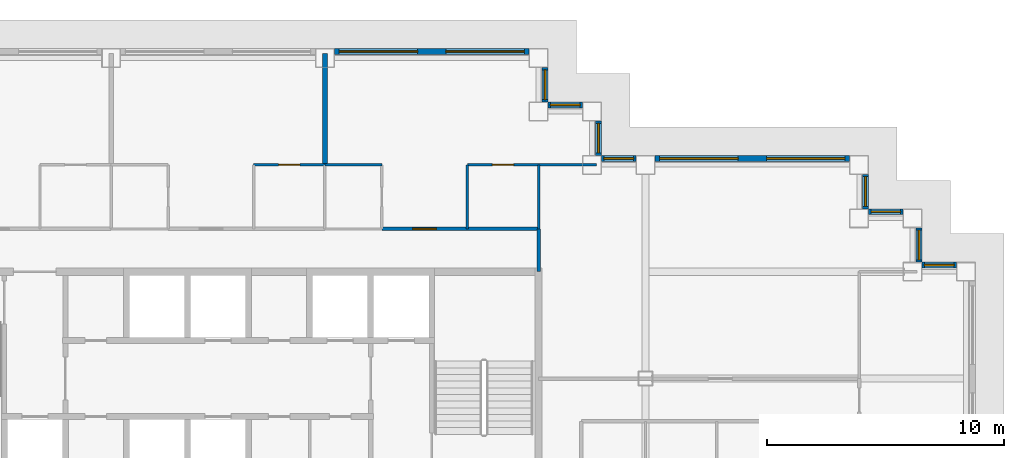
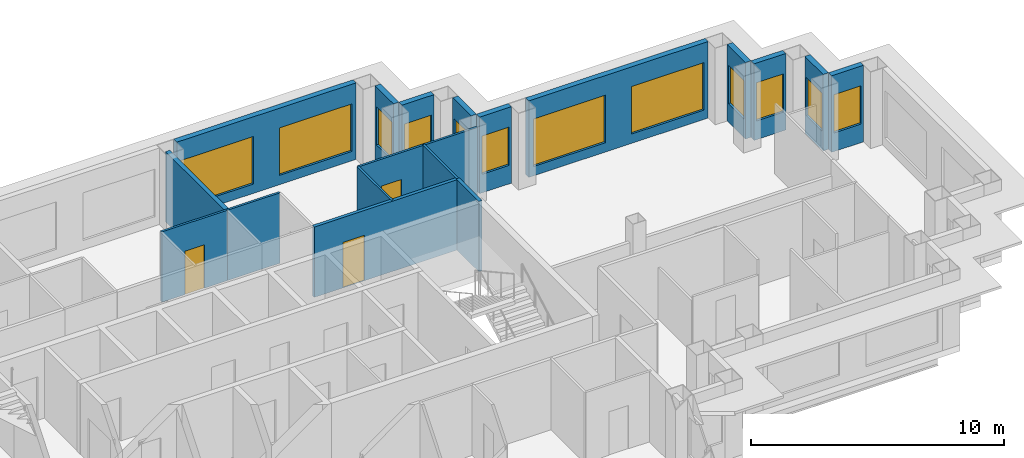
# One storey, part 9 of 13: 18 walls, 12 windows, 3 doors, 15 openings.
"""IFC4 building model written with IfcOpenShell, lengths in metres."""

from ifc_helpers import new_model, si_unit, direction, frame, frame_2d, origin, place, context, subcontext, project, spatial, rectangle, extrude, material, layer, layer_set, type_object, element, fill, save


model = new_model("IFC4")

# Units and contexts
model_context = context("Model", 3, precision=1e-05, world=origin(), true_north=direction((0.0, 1.0)))
body_context = subcontext(model_context, "Body", "Model", "MODEL_VIEW")
ifc_project = project(units=[si_unit("LENGTHUNIT", "METRE"), si_unit("AREAUNIT", "SQUARE_METRE"), si_unit("VOLUMEUNIT", "CUBIC_METRE"), si_unit("PLANEANGLEUNIT", "RADIAN"), si_unit("MASSUNIT", "GRAM", prefix="KILO")], contexts=[model_context])

# Site, building, storey
site_placement = place(None, origin())
site = spatial("IfcSite", under=ifc_project, at=site_placement, CompositionType="ELEMENT")
building_placement = place(site_placement, origin())
building = spatial("IfcBuilding", under=site, at=building_placement, Name="Caravel Reach Hotel and Residences", CompositionType="ELEMENT")
storey_placement = place(building_placement, frame((0.0, 0.0, 158.0)))
storey = spatial("IfcBuildingStorey", under=building, at=storey_placement, Name="L39", CompositionType="ELEMENT", Elevation=158.0)

# Wall
ifc_material_1 = material(Name="Gypsum board on steel stud", Category="steel")
ifc_layer_1 = layer(ifc_material_1, 0.10009765625)
ifc_layer_set_1 = layer_set([ifc_layer_1], Name="Bathroom pod wall 100 mm")
wall_type_1 = type_object("IfcWallType", Name="Bathroom pod wall 100 mm", PredefinedType="PARTITIONING", material=ifc_layer_set_1)
wall_1_placement = place(storey_placement, frame((36.0, 36.0, 0.0), z_axis=(0.0, 0.0, 1.0), x_axis=(1.0, 0.0, 0.0)))
element("IfcWall", 1, at=wall_1_placement, inside=storey, type_object=wall_type_1, Name="L39 wall w094", PredefinedType="PARTITIONING", context=body_context, shape_type="SweptSolid", body=[
    extrude(rectangle(XDim=2.39990234375, YDim=0.10009765625, at=frame_2d((1.199951171875, 0.0))), origin(), (0.0, 0.0, 1.0), 3.39990234375),
])

# Wall, opening, door
ifc_material_2 = material(Name="Gypsum board on steel stud, fire-rated", Category="steel")
ifc_layer_2 = layer(ifc_material_2, 0.14990234375)
ifc_layer_set_2 = layer_set([ifc_layer_2], Name="Corridor wall 150 mm EI 60")
wall_type_2 = type_object("IfcWallType", Name="Corridor wall 150 mm EI 60", PredefinedType="PARTITIONING", material=ifc_layer_set_2)
wall_2_placement = place(storey_placement, frame((38.39990234375, 33.300048828125, 0.0), z_axis=(0.0, 0.0, 1.0), x_axis=(1.0, 0.0, 0.0)))
wall_2 = element("IfcWall", 2, at=wall_2_placement, inside=storey, type_object=wall_type_2, Name="L39 wall w018", PredefinedType="PARTITIONING", context=body_context, shape_type="SweptSolid", body=[
    extrude(rectangle(XDim=6.60009765625, YDim=0.14990234375, at=frame_2d((3.300048828125, 0.0))), origin(), (0.0, 0.0, 1.0), 3.39990234375),
])
opening_1_placement = place(wall_2_placement, frame((1.300048828125, 0.0, 0.0)))
opening_1 = element("IfcOpeningElement", 3, at=opening_1_placement, cuts=wall_2, Name="Opening D39-023", PredefinedType="OPENING", context=body_context, shape_type="SweptSolid", body=[
    extrude(rectangle(XDim=1.0, YDim=2.199951171875, at=frame_2d((0.5, 1.10009765625))), frame((0.0, 0.0849609375, 0.0), z_axis=(0.0, -1.0, 0.0), x_axis=(1.0, 0.0, 0.0)), (0.0, 0.0, 1.0), 0.169921875),
])
ifc_material_3 = material(Name="Steel fire door leaf", Category="steel")
door_type_1 = type_object("IfcDoorType", Name="Flat entrance door 1000 x 2200 EI 60", OperationType="SINGLE_SWING_LEFT", PredefinedType="DOOR", material=ifc_material_3)
door_1_placement = place(opening_1_placement, origin())
door_1 = element("IfcDoor", 4, at=door_1_placement, inside=storey, type_object=door_type_1, Name="door D39-023", OperationType="SINGLE_SWING_LEFT", OverallHeight=2.199951171875, OverallWidth=1.0, PredefinedType="DOOR", context=body_context, shape_type="SweptSolid", body=[
    extrude(rectangle(XDim=1.0, YDim=2.199951171875, at=frame_2d((0.5, 1.10009765625))), frame((0.0, 0.02490234375, 0.0), z_axis=(0.0, -1.0, 0.0), x_axis=(1.0, 0.0, 0.0)), (0.0, 0.0, 1.0), 0.050048828125),
])
fill(opening_1, door_1)

# Wall
wall_3_placement = place(storey_placement, frame((45.0, 31.5, 0.0), z_axis=(0.0, 0.0, 1.0), x_axis=(0.0, 1.0, 0.0)))
element("IfcWall", 5, at=wall_3_placement, inside=storey, type_object=wall_type_2, Name="L39 wall w031", PredefinedType="PARTITIONING", context=body_context, shape_type="SweptSolid", body=[
    extrude(rectangle(XDim=1.800048828125, YDim=0.14990234375, at=frame_2d((0.89990234375, 0.0))), origin(), (0.0, 0.0, 1.0), 3.39990234375),
])

# Wall, opening, window
ifc_material_4 = material(Name="Insulated rainscreen wall, aluminium cladding", Category="aluminium")
ifc_layer_3 = layer(ifc_material_4, 0.25)
ifc_layer_set_3 = layer_set([ifc_layer_3], Name="EW1 Tower rainscreen wall")
wall_type_3 = type_object("IfcWallType", Name="EW1 Tower rainscreen wall", PredefinedType="SOLIDWALL", material=ifc_layer_set_3)
wall_4_placement = place(storey_placement, frame((62.60009765625, 31.77490234375, 0.0), z_axis=(0.0, 0.0, 1.0), x_axis=(-1.0, 0.0, 0.0)))
wall_4 = element("IfcWall", 6, at=wall_4_placement, inside=storey, type_object=wall_type_3, Name="External wall L39 N21.1", PredefinedType="SOLIDWALL", context=body_context, shape_type="SweptSolid", body=[
    extrude(rectangle(XDim=1.4501953125, YDim=0.25, at=frame_2d((0.72509765625, 0.0))), origin(), (0.0, 0.0, 1.0), 3.699951171875),
])
opening_2_placement = place(wall_4_placement, frame((0.10009765625, 0.0, 0.89990234375)))
opening_2 = element("IfcOpeningElement", 7, at=opening_2_placement, cuts=wall_4, Name="Opening WN13", PredefinedType="OPENING", context=body_context, shape_type="SweptSolid", body=[
    extrude(rectangle(XDim=1.25, YDim=1.85009765625, at=frame_2d((0.625, 0.925048828125))), frame((0.0, 0.135009765625, 0.0), z_axis=(0.0, -1.0, 0.0), x_axis=(1.0, 0.0, 0.0)), (0.0, 0.0, 1.0), 0.27001953125),
])
ifc_material_5 = material(Name="Dark low-e glazing in black aluminium frame", Category="aluminium")
window_type_1 = type_object("IfcWindowType", Name="Residence bedroom window 1250 x 1850", PartitioningType="SINGLE_PANEL", PredefinedType="WINDOW", material=ifc_material_5)
window_1_placement = place(opening_2_placement, origin())
window_1 = element("IfcWindow", 8, at=window_1_placement, inside=storey, type_object=window_type_1, Name="Window L39 N21.1.1", OverallHeight=1.85009765625, OverallWidth=1.25, PartitioningType="SINGLE_PANEL", PredefinedType="WINDOW", context=body_context, shape_type="SweptSolid", body=[
    extrude(rectangle(XDim=1.25, YDim=1.85009765625, at=frame_2d((0.625, 0.925048828125))), frame((0.0, 0.030029296875, 0.0), z_axis=(0.0, -1.0, 0.0), x_axis=(1.0, 0.0, 0.0)), (0.0, 0.0, 1.0), 0.06005859375),
])
fill(opening_2, window_1)

wall_5_placement = place(storey_placement, frame((61.02490234375, 31.89990234375, 0.0), z_axis=(0.0, 0.0, 1.0), x_axis=(0.0, 1.0, 0.0)))
wall_5 = element("IfcWall", 9, at=wall_5_placement, inside=storey, type_object=wall_type_3, Name="External wall L39 E22.1", PredefinedType="SOLIDWALL", context=body_context, shape_type="SweptSolid", body=[
    extrude(rectangle(XDim=1.4501953125, YDim=0.25, at=frame_2d((0.72509765625, 0.0))), origin(), (0.0, 0.0, 1.0), 3.699951171875),
])
opening_3_placement = place(wall_5_placement, frame((0.10009765625, 0.0, 0.89990234375)))
opening_3 = element("IfcOpeningElement", 10, at=opening_3_placement, cuts=wall_5, Name="Opening WN13", PredefinedType="OPENING", context=body_context, shape_type="SweptSolid", body=[
    extrude(rectangle(XDim=1.25, YDim=1.85009765625, at=frame_2d((0.625, 0.925048828125))), frame((0.0, 0.135009765625, 0.0), z_axis=(0.0, -1.0, 0.0), x_axis=(1.0, 0.0, 0.0)), (0.0, 0.0, 1.0), 0.27001953125),
])
window_2_placement = place(opening_3_placement, origin())
window_2 = element("IfcWindow", 11, at=window_2_placement, inside=storey, type_object=window_type_1, Name="Window L39 E22.1.1", OverallHeight=1.85009765625, OverallWidth=1.25, PartitioningType="SINGLE_PANEL", PredefinedType="WINDOW", context=body_context, shape_type="SweptSolid", body=[
    extrude(rectangle(XDim=1.25, YDim=1.85009765625, at=frame_2d((0.625, 0.925048828125))), frame((0.0, 0.030029296875, 0.0), z_axis=(0.0, -1.0, 0.0), x_axis=(1.0, 0.0, 0.0)), (0.0, 0.0, 1.0), 0.06005859375),
])
fill(opening_3, window_2)

wall_6_placement = place(storey_placement, frame((60.35009765625, 34.02490234375, 0.0), z_axis=(0.0, 0.0, 1.0), x_axis=(-1.0, 0.0, 0.0)))
wall_6 = element("IfcWall", 12, at=wall_6_placement, inside=storey, type_object=wall_type_3, Name="External wall L39 N23.1", PredefinedType="SOLIDWALL", context=body_context, shape_type="SweptSolid", body=[
    extrude(rectangle(XDim=1.4501953125, YDim=0.25, at=frame_2d((0.72509765625, 0.0))), origin(), (0.0, 0.0, 1.0), 3.699951171875),
])
opening_4_placement = place(wall_6_placement, frame((0.10009765625, 0.0, 0.89990234375)))
opening_4 = element("IfcOpeningElement", 13, at=opening_4_placement, cuts=wall_6, Name="Opening WN13", PredefinedType="OPENING", context=body_context, shape_type="SweptSolid", body=[
    extrude(rectangle(XDim=1.25, YDim=1.85009765625, at=frame_2d((0.625, 0.925048828125))), frame((0.0, 0.135009765625, 0.0), z_axis=(0.0, -1.0, 0.0), x_axis=(1.0, 0.0, 0.0)), (0.0, 0.0, 1.0), 0.27001953125),
])
window_3_placement = place(opening_4_placement, origin())
window_3 = element("IfcWindow", 14, at=window_3_placement, inside=storey, type_object=window_type_1, Name="Window L39 N23.1.1", OverallHeight=1.85009765625, OverallWidth=1.25, PartitioningType="SINGLE_PANEL", PredefinedType="WINDOW", context=body_context, shape_type="SweptSolid", body=[
    extrude(rectangle(XDim=1.25, YDim=1.85009765625, at=frame_2d((0.625, 0.925048828125))), frame((0.0, 0.030029296875, 0.0), z_axis=(0.0, -1.0, 0.0), x_axis=(1.0, 0.0, 0.0)), (0.0, 0.0, 1.0), 0.06005859375),
])
fill(opening_4, window_3)

wall_7_placement = place(storey_placement, frame((58.77490234375, 34.14990234375, 0.0), z_axis=(0.0, 0.0, 1.0), x_axis=(0.0, 1.0, 0.0)))
wall_7 = element("IfcWall", 15, at=wall_7_placement, inside=storey, type_object=wall_type_3, Name="External wall L39 E24.1", PredefinedType="SOLIDWALL", context=body_context, shape_type="SweptSolid", body=[
    extrude(rectangle(XDim=1.4501953125, YDim=0.25, at=frame_2d((0.72509765625, 0.0))), origin(), (0.0, 0.0, 1.0), 3.699951171875),
])
opening_5_placement = place(wall_7_placement, frame((0.10009765625, 0.0, 0.89990234375)))
opening_5 = element("IfcOpeningElement", 16, at=opening_5_placement, cuts=wall_7, Name="Opening WN13", PredefinedType="OPENING", context=body_context, shape_type="SweptSolid", body=[
    extrude(rectangle(XDim=1.25, YDim=1.85009765625, at=frame_2d((0.625, 0.925048828125))), frame((0.0, 0.135009765625, 0.0), z_axis=(0.0, -1.0, 0.0), x_axis=(1.0, 0.0, 0.0)), (0.0, 0.0, 1.0), 0.27001953125),
])
window_4_placement = place(opening_5_placement, origin())
window_4 = element("IfcWindow", 17, at=window_4_placement, inside=storey, type_object=window_type_1, Name="Window L39 E24.1.1", OverallHeight=1.85009765625, OverallWidth=1.25, PartitioningType="SINGLE_PANEL", PredefinedType="WINDOW", context=body_context, shape_type="SweptSolid", body=[
    extrude(rectangle(XDim=1.25, YDim=1.85009765625, at=frame_2d((0.625, 0.925048828125))), frame((0.0, 0.030029296875, 0.0), z_axis=(0.0, -1.0, 0.0), x_axis=(1.0, 0.0, 0.0)), (0.0, 0.0, 1.0), 0.06005859375),
])
fill(opening_5, window_4)

# Wall, openings, windows
wall_8_placement = place(storey_placement, frame((58.10009765625, 36.27490234375, 0.0), z_axis=(0.0, 0.0, 1.0), x_axis=(-1.0, 0.0, 0.0)))
wall_8 = element("IfcWall", 18, at=wall_8_placement, inside=storey, type_object=wall_type_3, Name="External wall L39 N25.1", PredefinedType="SOLIDWALL", context=body_context, shape_type="SweptSolid", body=[
    extrude(rectangle(XDim=8.2001953125, YDim=0.25, at=frame_2d((4.10009765625, 0.0))), origin(), (0.0, 0.0, 1.0), 3.699951171875),
])
opening_6_placement = place(wall_8_placement, frame((0.199951171875, 0.0, 0.449951171875)))
opening_6 = element("IfcOpeningElement", 19, at=opening_6_placement, cuts=wall_8, Name="Opening WN15", PredefinedType="OPENING", context=body_context, shape_type="SweptSolid", body=[
    extrude(rectangle(XDim=3.300048828125, YDim=2.300048828125, at=frame_2d((1.64990234375, 1.14990234375))), frame((0.0, 0.135009765625, 0.0), z_axis=(0.0, -1.0, 0.0), x_axis=(1.0, 0.0, 0.0)), (0.0, 0.0, 1.0), 0.27001953125),
])
opening_7_placement = place(wall_8_placement, frame((4.699951171875, 0.0, 0.449951171875)))
opening_7 = element("IfcOpeningElement", 20, at=opening_7_placement, cuts=wall_8, Name="Opening WN15", PredefinedType="OPENING", context=body_context, shape_type="SweptSolid", body=[
    extrude(rectangle(XDim=3.300048828125, YDim=2.300048828125, at=frame_2d((1.64990234375, 1.14990234375))), frame((0.0, 0.135009765625, 0.0), z_axis=(0.0, -1.0, 0.0), x_axis=(1.0, 0.0, 0.0)), (0.0, 0.0, 1.0), 0.27001953125),
])
ifc_material_6 = material(Name="Dark low-e glazing in black aluminium frame", Category="aluminium")
window_type_2 = type_object("IfcWindowType", Name="Residence living window 3300 x 2300", PartitioningType="SINGLE_PANEL", PredefinedType="WINDOW", material=ifc_material_6)
window_5_placement = place(opening_6_placement, origin())
window_5 = element("IfcWindow", 21, at=window_5_placement, inside=storey, type_object=window_type_2, Name="Window L39 N25.1.1", OverallHeight=2.300048828125, OverallWidth=3.300048828125, PartitioningType="SINGLE_PANEL", PredefinedType="WINDOW", context=body_context, shape_type="SweptSolid", body=[
    extrude(rectangle(XDim=3.300048828125, YDim=2.300048828125, at=frame_2d((1.64990234375, 1.14990234375))), frame((0.0, 0.030029296875, 0.0), z_axis=(0.0, -1.0, 0.0), x_axis=(1.0, 0.0, 0.0)), (0.0, 0.0, 1.0), 0.06005859375),
])
fill(opening_6, window_5)
window_6_placement = place(opening_7_placement, origin())
window_6 = element("IfcWindow", 22, at=window_6_placement, inside=storey, type_object=window_type_2, Name="Window L39 N25.1.2", OverallHeight=2.300048828125, OverallWidth=3.300048828125, PartitioningType="SINGLE_PANEL", PredefinedType="WINDOW", context=body_context, shape_type="SweptSolid", body=[
    extrude(rectangle(XDim=3.300048828125, YDim=2.300048828125, at=frame_2d((1.64990234375, 1.14990234375))), frame((0.0, 0.030029296875, 0.0), z_axis=(0.0, -1.0, 0.0), x_axis=(1.0, 0.0, 0.0)), (0.0, 0.0, 1.0), 0.06005859375),
])
fill(opening_7, window_6)

# Wall, opening, window
wall_9_placement = place(storey_placement, frame((49.10009765625, 36.27490234375, 0.0), z_axis=(0.0, 0.0, 1.0), x_axis=(-1.0, 0.0, 0.0)))
wall_9 = element("IfcWall", 23, at=wall_9_placement, inside=storey, type_object=wall_type_3, Name="External wall L39 N25.2", PredefinedType="SOLIDWALL", context=body_context, shape_type="SweptSolid", body=[
    extrude(rectangle(XDim=1.4501953125, YDim=0.25, at=frame_2d((0.72509765625, 0.0))), origin(), (0.0, 0.0, 1.0), 3.699951171875),
])
opening_8_placement = place(wall_9_placement, frame((0.10009765625, 0.0, 0.89990234375)))
opening_8 = element("IfcOpeningElement", 24, at=opening_8_placement, cuts=wall_9, Name="Opening WN13", PredefinedType="OPENING", context=body_context, shape_type="SweptSolid", body=[
    extrude(rectangle(XDim=1.25, YDim=1.85009765625, at=frame_2d((0.625, 0.925048828125))), frame((0.0, 0.135009765625, 0.0), z_axis=(0.0, -1.0, 0.0), x_axis=(1.0, 0.0, 0.0)), (0.0, 0.0, 1.0), 0.27001953125),
])
window_7_placement = place(opening_8_placement, origin())
window_7 = element("IfcWindow", 25, at=window_7_placement, inside=storey, type_object=window_type_1, Name="Window L39 N25.2.1", OverallHeight=1.85009765625, OverallWidth=1.25, PartitioningType="SINGLE_PANEL", PredefinedType="WINDOW", context=body_context, shape_type="SweptSolid", body=[
    extrude(rectangle(XDim=1.25, YDim=1.85009765625, at=frame_2d((0.625, 0.925048828125))), frame((0.0, 0.030029296875, 0.0), z_axis=(0.0, -1.0, 0.0), x_axis=(1.0, 0.0, 0.0)), (0.0, 0.0, 1.0), 0.06005859375),
])
fill(opening_8, window_7)

wall_10_placement = place(storey_placement, frame((47.52490234375, 36.39990234375, 0.0), z_axis=(0.0, 0.0, 1.0), x_axis=(0.0, 1.0, 0.0)))
wall_10 = element("IfcWall", 26, at=wall_10_placement, inside=storey, type_object=wall_type_3, Name="External wall L39 E26.1", PredefinedType="SOLIDWALL", context=body_context, shape_type="SweptSolid", body=[
    extrude(rectangle(XDim=1.4501953125, YDim=0.25, at=frame_2d((0.72509765625, 0.0))), origin(), (0.0, 0.0, 1.0), 3.699951171875),
])
opening_9_placement = place(wall_10_placement, frame((0.10009765625, 0.0, 0.89990234375)))
opening_9 = element("IfcOpeningElement", 27, at=opening_9_placement, cuts=wall_10, Name="Opening WN13", PredefinedType="OPENING", context=body_context, shape_type="SweptSolid", body=[
    extrude(rectangle(XDim=1.25, YDim=1.85009765625, at=frame_2d((0.625, 0.925048828125))), frame((0.0, 0.135009765625, 0.0), z_axis=(0.0, -1.0, 0.0), x_axis=(1.0, 0.0, 0.0)), (0.0, 0.0, 1.0), 0.27001953125),
])
window_8_placement = place(opening_9_placement, origin())
window_8 = element("IfcWindow", 28, at=window_8_placement, inside=storey, type_object=window_type_1, Name="Window L39 E26.1.1", OverallHeight=1.85009765625, OverallWidth=1.25, PartitioningType="SINGLE_PANEL", PredefinedType="WINDOW", context=body_context, shape_type="SweptSolid", body=[
    extrude(rectangle(XDim=1.25, YDim=1.85009765625, at=frame_2d((0.625, 0.925048828125))), frame((0.0, 0.030029296875, 0.0), z_axis=(0.0, -1.0, 0.0), x_axis=(1.0, 0.0, 0.0)), (0.0, 0.0, 1.0), 0.06005859375),
])
fill(opening_9, window_8)

wall_11_placement = place(storey_placement, frame((46.85009765625, 38.52490234375, 0.0), z_axis=(0.0, 0.0, 1.0), x_axis=(-1.0, 0.0, 0.0)))
wall_11 = element("IfcWall", 29, at=wall_11_placement, inside=storey, type_object=wall_type_3, Name="External wall L39 N27.1", PredefinedType="SOLIDWALL", context=body_context, shape_type="SweptSolid", body=[
    extrude(rectangle(XDim=1.4501953125, YDim=0.25, at=frame_2d((0.72509765625, 0.0))), origin(), (0.0, 0.0, 1.0), 3.699951171875),
])
opening_10_placement = place(wall_11_placement, frame((0.10009765625, 0.0, 0.89990234375)))
opening_10 = element("IfcOpeningElement", 30, at=opening_10_placement, cuts=wall_11, Name="Opening WN13", PredefinedType="OPENING", context=body_context, shape_type="SweptSolid", body=[
    extrude(rectangle(XDim=1.25, YDim=1.85009765625, at=frame_2d((0.625, 0.925048828125))), frame((0.0, 0.135009765625, 0.0), z_axis=(0.0, -1.0, 0.0), x_axis=(1.0, 0.0, 0.0)), (0.0, 0.0, 1.0), 0.27001953125),
])
window_9_placement = place(opening_10_placement, origin())
window_9 = element("IfcWindow", 31, at=window_9_placement, inside=storey, type_object=window_type_1, Name="Window L39 N27.1.1", OverallHeight=1.85009765625, OverallWidth=1.25, PartitioningType="SINGLE_PANEL", PredefinedType="WINDOW", context=body_context, shape_type="SweptSolid", body=[
    extrude(rectangle(XDim=1.25, YDim=1.85009765625, at=frame_2d((0.625, 0.925048828125))), frame((0.0, 0.030029296875, 0.0), z_axis=(0.0, -1.0, 0.0), x_axis=(1.0, 0.0, 0.0)), (0.0, 0.0, 1.0), 0.06005859375),
])
fill(opening_10, window_9)

wall_12_placement = place(storey_placement, frame((45.27490234375, 38.64990234375, 0.0), z_axis=(0.0, 0.0, 1.0), x_axis=(0.0, 1.0, 0.0)))
wall_12 = element("IfcWall", 32, at=wall_12_placement, inside=storey, type_object=wall_type_3, Name="External wall L39 E28.1", PredefinedType="SOLIDWALL", context=body_context, shape_type="SweptSolid", body=[
    extrude(rectangle(XDim=1.4501953125, YDim=0.25, at=frame_2d((0.72509765625, 0.0))), origin(), (0.0, 0.0, 1.0), 3.699951171875),
])
opening_11_placement = place(wall_12_placement, frame((0.10009765625, 0.0, 0.89990234375)))
opening_11 = element("IfcOpeningElement", 33, at=opening_11_placement, cuts=wall_12, Name="Opening WN13", PredefinedType="OPENING", context=body_context, shape_type="SweptSolid", body=[
    extrude(rectangle(XDim=1.25, YDim=1.85009765625, at=frame_2d((0.625, 0.925048828125))), frame((0.0, 0.135009765625, 0.0), z_axis=(0.0, -1.0, 0.0), x_axis=(1.0, 0.0, 0.0)), (0.0, 0.0, 1.0), 0.27001953125),
])
window_10_placement = place(opening_11_placement, origin())
window_10 = element("IfcWindow", 34, at=window_10_placement, inside=storey, type_object=window_type_1, Name="Window L39 E28.1.1", OverallHeight=1.85009765625, OverallWidth=1.25, PartitioningType="SINGLE_PANEL", PredefinedType="WINDOW", context=body_context, shape_type="SweptSolid", body=[
    extrude(rectangle(XDim=1.25, YDim=1.85009765625, at=frame_2d((0.625, 0.925048828125))), frame((0.0, 0.030029296875, 0.0), z_axis=(0.0, -1.0, 0.0), x_axis=(1.0, 0.0, 0.0)), (0.0, 0.0, 1.0), 0.06005859375),
])
fill(opening_11, window_10)

# Wall, openings, windows
wall_13_placement = place(storey_placement, frame((44.60009765625, 40.77490234375, 0.0), z_axis=(0.0, 0.0, 1.0), x_axis=(-1.0, 0.0, 0.0)))
wall_13 = element("IfcWall", 35, at=wall_13_placement, inside=storey, type_object=wall_type_3, Name="External wall L39 N29.1", PredefinedType="SOLIDWALL", context=body_context, shape_type="SweptSolid", body=[
    extrude(rectangle(XDim=8.2001953125, YDim=0.25, at=frame_2d((4.10009765625, 0.0))), origin(), (0.0, 0.0, 1.0), 3.699951171875),
])
opening_12_placement = place(wall_13_placement, frame((0.199951171875, 0.0, 0.449951171875)))
opening_12 = element("IfcOpeningElement", 36, at=opening_12_placement, cuts=wall_13, Name="Opening WN15", PredefinedType="OPENING", context=body_context, shape_type="SweptSolid", body=[
    extrude(rectangle(XDim=3.300048828125, YDim=2.300048828125, at=frame_2d((1.64990234375, 1.14990234375))), frame((0.0, 0.135009765625, 0.0), z_axis=(0.0, -1.0, 0.0), x_axis=(1.0, 0.0, 0.0)), (0.0, 0.0, 1.0), 0.27001953125),
])
opening_13_placement = place(wall_13_placement, frame((4.699951171875, 0.0, 0.449951171875)))
opening_13 = element("IfcOpeningElement", 37, at=opening_13_placement, cuts=wall_13, Name="Opening WN15", PredefinedType="OPENING", context=body_context, shape_type="SweptSolid", body=[
    extrude(rectangle(XDim=3.300048828125, YDim=2.300048828125, at=frame_2d((1.64990234375, 1.14990234375))), frame((0.0, 0.135009765625, 0.0), z_axis=(0.0, -1.0, 0.0), x_axis=(1.0, 0.0, 0.0)), (0.0, 0.0, 1.0), 0.27001953125),
])
window_11_placement = place(opening_12_placement, origin())
window_11 = element("IfcWindow", 38, at=window_11_placement, inside=storey, type_object=window_type_2, Name="Window L39 N29.1.1", OverallHeight=2.300048828125, OverallWidth=3.300048828125, PartitioningType="SINGLE_PANEL", PredefinedType="WINDOW", context=body_context, shape_type="SweptSolid", body=[
    extrude(rectangle(XDim=3.300048828125, YDim=2.300048828125, at=frame_2d((1.64990234375, 1.14990234375))), frame((0.0, 0.030029296875, 0.0), z_axis=(0.0, -1.0, 0.0), x_axis=(1.0, 0.0, 0.0)), (0.0, 0.0, 1.0), 0.06005859375),
])
fill(opening_12, window_11)
window_12_placement = place(opening_13_placement, origin())
window_12 = element("IfcWindow", 39, at=window_12_placement, inside=storey, type_object=window_type_2, Name="Window L39 N29.1.2", OverallHeight=2.300048828125, OverallWidth=3.300048828125, PartitioningType="SINGLE_PANEL", PredefinedType="WINDOW", context=body_context, shape_type="SweptSolid", body=[
    extrude(rectangle(XDim=3.300048828125, YDim=2.300048828125, at=frame_2d((1.64990234375, 1.14990234375))), frame((0.0, 0.030029296875, 0.0), z_axis=(0.0, -1.0, 0.0), x_axis=(1.0, 0.0, 0.0)), (0.0, 0.0, 1.0), 0.06005859375),
])
fill(opening_13, window_12)

# Wall, opening, door
ifc_material_7 = material(Name="Gypsum board on steel stud", Category="steel")
ifc_layer_4 = layer(ifc_material_7, 0.10009765625)
ifc_layer_set_4 = layer_set([ifc_layer_4], Name="Partition 100 mm")
wall_type_4 = type_object("IfcWallType", Name="Partition 100 mm", PredefinedType="PARTITIONING", material=ifc_layer_set_4)
wall_14_placement = place(storey_placement, frame((33.0, 36.0, 0.0), z_axis=(0.0, 0.0, 1.0), x_axis=(1.0, 0.0, 0.0)))
wall_14 = element("IfcWall", 40, at=wall_14_placement, inside=storey, type_object=wall_type_4, Name="L39 wall w045", PredefinedType="PARTITIONING", context=body_context, shape_type="SweptSolid", body=[
    extrude(rectangle(XDim=3.0, YDim=0.10009765625, at=frame_2d((1.5, 0.0))), origin(), (0.0, 0.0, 1.0), 3.39990234375),
])
opening_14_placement = place(wall_14_placement, frame((1.050048828125, 0.0, 0.0)))
opening_14 = element("IfcOpeningElement", 41, at=opening_14_placement, cuts=wall_14, Name="Opening D39-022", PredefinedType="OPENING", context=body_context, shape_type="SweptSolid", body=[
    extrude(rectangle(XDim=0.89990234375, YDim=2.10009765625, at=frame_2d((0.449951171875, 1.050048828125))), frame((0.0, 0.06005859375, 0.0), z_axis=(0.0, -1.0, 0.0), x_axis=(1.0, 0.0, 0.0)), (0.0, 0.0, 1.0), 0.1201171875),
])
ifc_material_8 = material(Name="Timber and steel door leaf", Category="steel")
door_type_2 = type_object("IfcDoorType", Name="Door 900 x 2100 timber", OperationType="SINGLE_SWING_LEFT", PredefinedType="DOOR", material=ifc_material_8)
door_2_placement = place(opening_14_placement, origin())
door_2 = element("IfcDoor", 42, at=door_2_placement, inside=storey, type_object=door_type_2, Name="door D39-022", OperationType="SINGLE_SWING_LEFT", OverallHeight=2.10009765625, OverallWidth=0.89990234375, PredefinedType="DOOR", context=body_context, shape_type="SweptSolid", body=[
    extrude(rectangle(XDim=0.89990234375, YDim=2.10009765625, at=frame_2d((0.449951171875, 1.050048828125))), frame((0.0, 0.02490234375, 0.0), z_axis=(0.0, -1.0, 0.0), x_axis=(1.0, 0.0, 0.0)), (0.0, 0.0, 1.0), 0.050048828125),
])
fill(opening_14, door_2)

wall_15_placement = place(storey_placement, frame((42.0, 36.0, 0.0), z_axis=(0.0, 0.0, 1.0), x_axis=(1.0, 0.0, 0.0)))
wall_15 = element("IfcWall", 43, at=wall_15_placement, inside=storey, type_object=wall_type_4, Name="L39 wall w047", PredefinedType="PARTITIONING", context=body_context, shape_type="SweptSolid", body=[
    extrude(rectangle(XDim=5.43994140625, YDim=0.10009765625, at=frame_2d((2.719970703125, 0.0))), origin(), (0.0, 0.0, 1.0), 3.39990234375),
])
opening_15_placement = place(wall_15_placement, frame((1.050048828125, 0.0, 0.0)))
opening_15 = element("IfcOpeningElement", 44, at=opening_15_placement, cuts=wall_15, Name="Opening D39-025", PredefinedType="OPENING", context=body_context, shape_type="SweptSolid", body=[
    extrude(rectangle(XDim=0.89990234375, YDim=2.10009765625, at=frame_2d((0.449951171875, 1.050048828125))), frame((0.0, 0.06005859375, 0.0), z_axis=(0.0, -1.0, 0.0), x_axis=(1.0, 0.0, 0.0)), (0.0, 0.0, 1.0), 0.1201171875),
])
door_3_placement = place(opening_15_placement, origin())
door_3 = element("IfcDoor", 45, at=door_3_placement, inside=storey, type_object=door_type_2, Name="door D39-025", OperationType="SINGLE_SWING_LEFT", OverallHeight=2.10009765625, OverallWidth=0.89990234375, PredefinedType="DOOR", context=body_context, shape_type="SweptSolid", body=[
    extrude(rectangle(XDim=0.89990234375, YDim=2.10009765625, at=frame_2d((0.449951171875, 1.050048828125))), frame((0.0, 0.02490234375, 0.0), z_axis=(0.0, -1.0, 0.0), x_axis=(1.0, 0.0, 0.0)), (0.0, 0.0, 1.0), 0.050048828125),
])
fill(opening_15, door_3)

# Walls
for number, where, z_axis, x_axis, name in (
    (46, (42.0, 33.300048828125, 0.0), (0.0, 0.0, 1.0), (0.0, 1.0, 0.0), "L39 wall w064"),
    (47, (45.0, 33.300048828125, 0.0), (0.0, 0.0, 1.0), (0.0, 1.0, 0.0), "L39 wall w066"),
):
    element("IfcWall", number, at=place(storey_placement, frame(where, z_axis=z_axis, x_axis=x_axis)), inside=storey, type_object=wall_type_4, Name=name, PredefinedType="PARTITIONING", context=body_context, shape_type="SweptSolid", body=[
        extrude(rectangle(XDim=2.699951171875, YDim=0.10009765625, at=frame_2d((1.35009765625, 0.0))), origin(), (0.0, 0.0, 1.0), 3.39990234375),
    ])
ifc_material_9 = material(Name="Autoclaved aerated block wall")
ifc_layer_5 = layer(ifc_material_9, 0.199951171875)
ifc_layer_set_5 = layer_set([ifc_layer_5], Name="Party wall 200 mm EI 60")
wall_type_5 = type_object("IfcWallType", Name="Party wall 200 mm EI 60", PredefinedType="PARTITIONING", material=ifc_layer_set_5)
wall_16_placement = place(storey_placement, frame((36.0, 36.0, 0.0), z_axis=(0.0, 0.0, 1.0), x_axis=(0.0, 1.0, 0.0)))
element("IfcWall", 48, at=wall_16_placement, inside=storey, type_object=wall_type_5, Name="L39 wall w076", PredefinedType="PARTITIONING", context=body_context, shape_type="SweptSolid", body=[
    extrude(rectangle(XDim=4.68994140625, YDim=0.199951171875, at=frame_2d((2.344970703125, 0.0))), origin(), (0.0, 0.0, 1.0), 3.39990234375),
])

save(model, "model.ifc")
